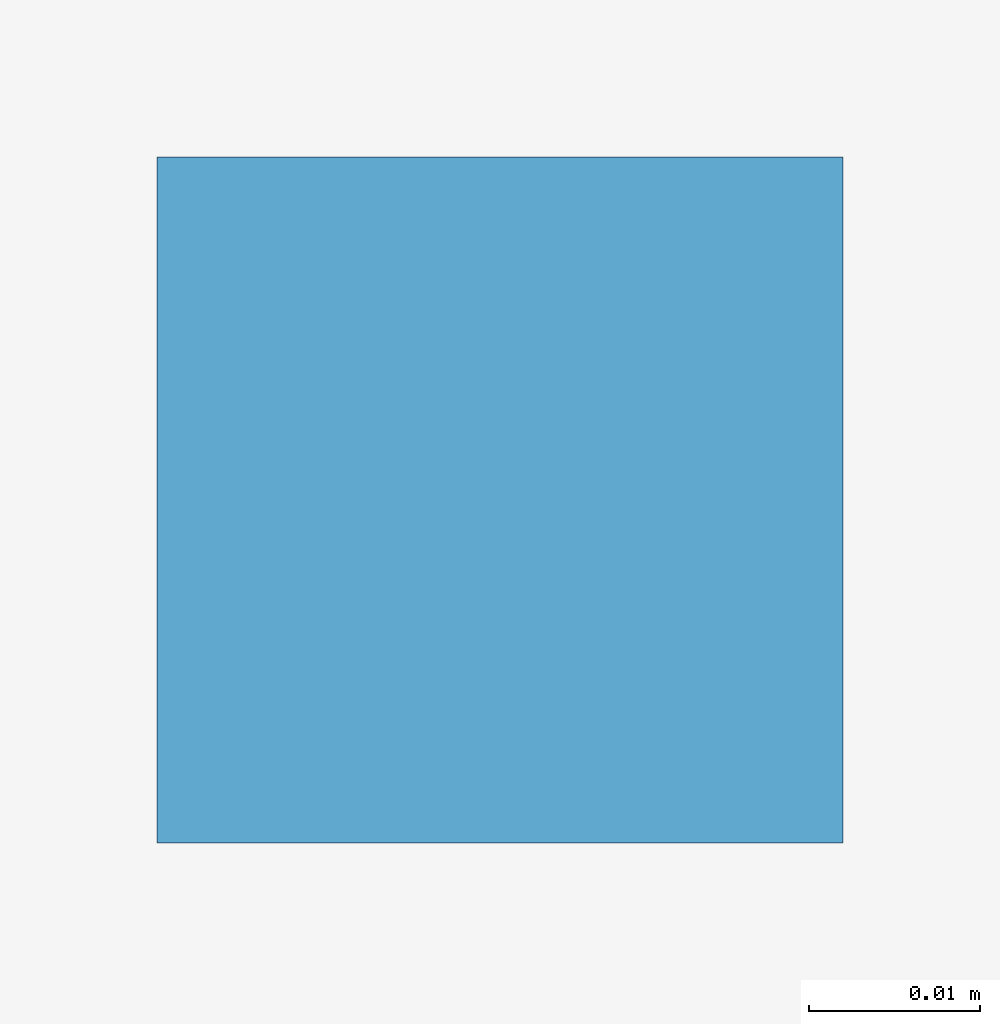
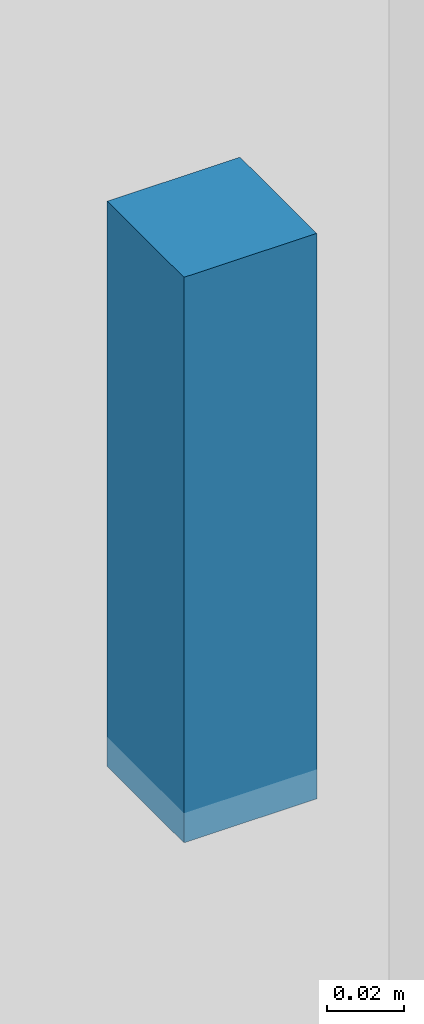
# One storey, part 67 of 88: 1 discrete accessory.
"""IFC4 building model written with IfcOpenShell, lengths in metres."""

from ifc_helpers import new_model, si_unit, direction, frame, origin, origin_2d, place, context, subcontext, project, spatial, rectangle, extrude, material, type_object, element, save


model = new_model("IFC4")

# Units and contexts
model_context = context("Model", 3, precision=1e-05, world=origin(), true_north=direction((0.0, 1.0)))
body_context = subcontext(model_context, "Body", "Model", "MODEL_VIEW")
ifc_project = project(units=[si_unit("LENGTHUNIT", "METRE"), si_unit("AREAUNIT", "SQUARE_METRE"), si_unit("VOLUMEUNIT", "CUBIC_METRE"), si_unit("PLANEANGLEUNIT", "RADIAN"), si_unit("MASSUNIT", "GRAM", prefix="KILO")], contexts=[model_context])

# Site, building, storey
site_placement = place(None, origin())
site = spatial("IfcSite", under=ifc_project, at=site_placement, CompositionType="ELEMENT")
building_placement = place(site_placement, origin())
building = spatial("IfcBuilding", under=site, at=building_placement, Name="Alvorim Cloister Faculty of Sciences", CompositionType="ELEMENT")
storey_placement = place(building_placement, frame((0.0, 0.0, 4.5)))
storey = spatial("IfcBuildingStorey", under=building, at=storey_placement, Name="L01", CompositionType="ELEMENT", Elevation=4.5)

# Discrete accessory
ifc_material = material(Name="Galvanised Painted Steel", Category="steel")
discrete_accessory_type = type_object("IfcDiscreteAccessoryType", Name="ACC-CEIL-ROD", PredefinedType="BRACKET", material=ifc_material)
discrete_accessory_placement = place(storey_placement, frame((97.75, 27.14990234375, 3.6298828125), z_axis=(0.0, 0.0, 1.0), x_axis=(1.0, 0.0, 0.0)))
element("IfcDiscreteAccessory", 1, at=discrete_accessory_placement, inside=storey, type_object=discrete_accessory_type, Name="Ceiling Suspension Bracket ACC-ROD-012", PredefinedType="BRACKET", context=body_context, shape_type="SweptSolid", body=[
    extrude(rectangle(XDim=0.0400390625, YDim=0.0400390625, at=origin_2d()), origin(), (0.0, 0.0, 1.0), 0.18017578125),
])

save(model, "model.ifc")
